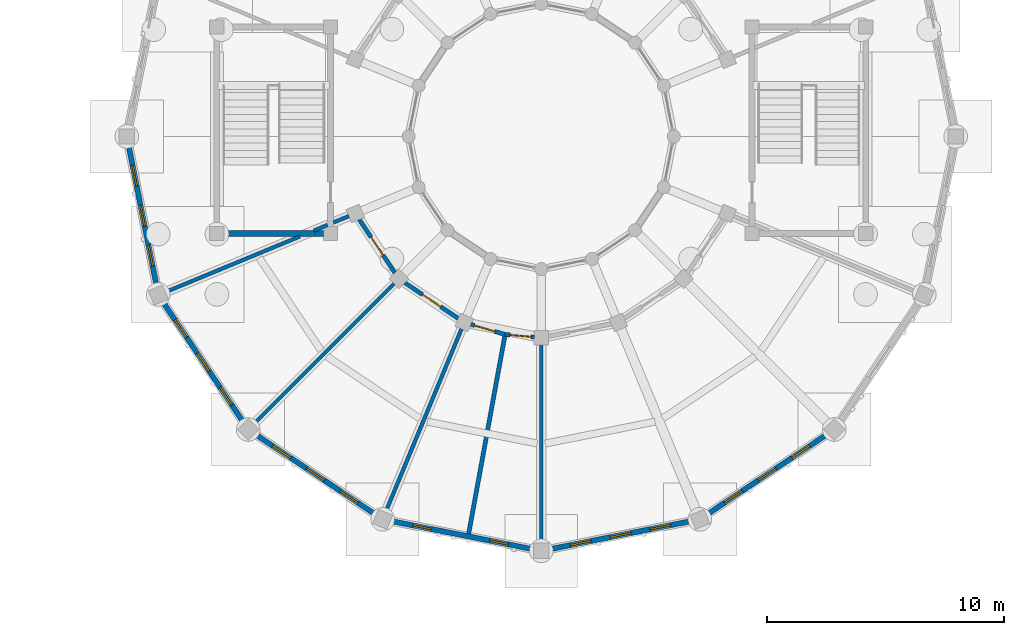
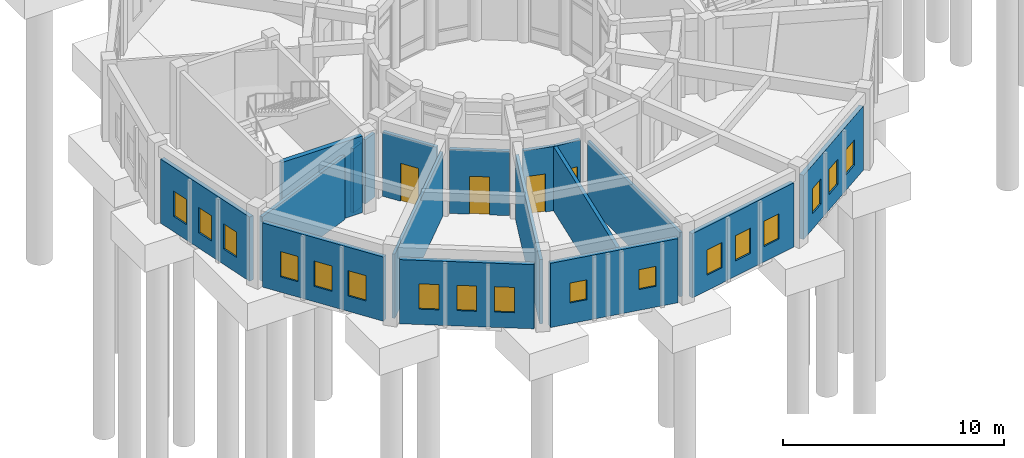
# One storey, part 115 of 153: 18 walls, 17 windows, 4 doors, 21 openings.
"""IFC4 building model written with IfcOpenShell, lengths in metres."""

from ifc_helpers import new_model, si_unit, direction, frame, frame_2d, origin, place, context, subcontext, project, spatial, rectangle, extrude, material, layer, layer_set, type_object, element, fill, save


model = new_model("IFC4")

# Units and contexts
model_context = context("Model", 3, precision=1e-05, world=origin(), true_north=direction((0.0, 1.0)))
body_context = subcontext(model_context, "Body", "Model", "MODEL_VIEW")
ifc_project = project(units=[si_unit("LENGTHUNIT", "METRE"), si_unit("AREAUNIT", "SQUARE_METRE"), si_unit("VOLUMEUNIT", "CUBIC_METRE"), si_unit("PLANEANGLEUNIT", "RADIAN"), si_unit("MASSUNIT", "GRAM", prefix="KILO")], contexts=[model_context])

# Site, building, storey
site_placement = place(None, origin())
site = spatial("IfcSite", under=ifc_project, at=site_placement, CompositionType="ELEMENT")
building_placement = place(site_placement, origin())
building = spatial("IfcBuilding", under=site, at=building_placement, Name="Celadon Cloister-Ring School", CompositionType="ELEMENT")
storey_placement = place(building_placement, origin())
storey = spatial("IfcBuildingStorey", under=building, at=storey_placement, Name="L00", CompositionType="ELEMENT", Elevation=0.0)

# Wall, openings, windows
ifc_material_1 = material(Name="Perforated terracotta clay brick masonry", Category="masonry")
ifc_layer_1 = layer(ifc_material_1, 0.219970703125)
ifc_layer_set_1 = layer_set([ifc_layer_1], Name="Perforated terracotta clay brick masonry")
wall_type_1 = type_object("IfcWallType", Name="WT-EX4", PredefinedType="SOLIDWALL", material=ifc_layer_set_1)
wall_1_placement = place(storey_placement, frame((3.962890625, 13.65087890625, 0.0), z_axis=(0.0, 0.0, 1.0), x_axis=(-0.195110859746, 0.980781194971, 0.0)))
wall_1 = element("IfcWall", 1, at=wall_1_placement, inside=storey, type_object=wall_type_1, Name="Exterior Wall 0301", PredefinedType="SOLIDWALL", context=body_context, shape_type="SweptSolid", body=[
    extrude(rectangle(XDim=6.118896484375, YDim=0.219970703125, at=frame_2d((3.0595703125, 0.0))), origin(), (0.0, 0.0, 1.0), 3.550048828125),
])
opening_1_placement = place(wall_1_placement, frame((0.89599609375, 0.0, 0.85009765625)))
opening_1 = element("IfcOpeningElement", 2, at=opening_1_placement, cuts=wall_1, Name="Opening WN-21", PredefinedType="OPENING", context=body_context, shape_type="SweptSolid", body=[
    extrude(rectangle(XDim=0.89990234375, YDim=1.39990234375, at=frame_2d((0.449951171875, 0.699951171875))), frame((0.0, 0.1201171875, 0.0), z_axis=(0.0, -1.0, 0.0), x_axis=(1.0, 0.0, 0.0)), (0.0, 0.0, 1.0), 0.239990234375),
])
opening_2_placement = place(wall_1_placement, frame((2.60888671875, 0.0, 0.85009765625)))
opening_2 = element("IfcOpeningElement", 3, at=opening_2_placement, cuts=wall_1, Name="Opening WN-21", PredefinedType="OPENING", context=body_context, shape_type="SweptSolid", body=[
    extrude(rectangle(XDim=0.89990234375, YDim=1.39990234375, at=frame_2d((0.449951171875, 0.699951171875))), frame((0.0, 0.1201171875, 0.0), z_axis=(0.0, -1.0, 0.0), x_axis=(1.0, 0.0, 0.0)), (0.0, 0.0, 1.0), 0.239990234375),
])
opening_3_placement = place(wall_1_placement, frame((4.322998046875, 0.0, 0.85009765625)))
opening_3 = element("IfcOpeningElement", 4, at=opening_3_placement, cuts=wall_1, Name="Opening WN-21", PredefinedType="OPENING", context=body_context, shape_type="SweptSolid", body=[
    extrude(rectangle(XDim=0.89990234375, YDim=1.39990234375, at=frame_2d((0.449951171875, 0.699951171875))), frame((0.0, 0.1201171875, 0.0), z_axis=(0.0, -1.0, 0.0), x_axis=(1.0, 0.0, 0.0)), (0.0, 0.0, 1.0), 0.239990234375),
])
ifc_material_2 = material(Name="Tempered laminated insulating glass", Category="glass")
window_type_1 = type_object("IfcWindowType", Name="WN-21", PartitioningType="SINGLE_PANEL", PredefinedType="WINDOW", material=ifc_material_2)
window_1_placement = place(opening_1_placement, origin())
window_1 = element("IfcWindow", 5, at=window_1_placement, inside=storey, type_object=window_type_1, Name="Window 0783", OverallHeight=1.39990234375, OverallWidth=0.89990234375, PartitioningType="SINGLE_PANEL", PredefinedType="WINDOW", context=body_context, shape_type="SweptSolid", body=[
    extrude(rectangle(XDim=0.89990234375, YDim=1.39990234375, at=frame_2d((0.449951171875, 0.699951171875))), frame((0.0, 0.030029296875, 0.0), z_axis=(0.0, -1.0, 0.0), x_axis=(1.0, 0.0, 0.0)), (0.0, 0.0, 1.0), 0.06005859375),
])
fill(opening_1, window_1)
window_2_placement = place(opening_2_placement, origin())
window_2 = element("IfcWindow", 6, at=window_2_placement, inside=storey, type_object=window_type_1, Name="Window 0784", OverallHeight=1.39990234375, OverallWidth=0.89990234375, PartitioningType="SINGLE_PANEL", PredefinedType="WINDOW", context=body_context, shape_type="SweptSolid", body=[
    extrude(rectangle(XDim=0.89990234375, YDim=1.39990234375, at=frame_2d((0.449951171875, 0.699951171875))), frame((0.0, 0.030029296875, 0.0), z_axis=(0.0, -1.0, 0.0), x_axis=(1.0, 0.0, 0.0)), (0.0, 0.0, 1.0), 0.06005859375),
])
fill(opening_2, window_2)
window_3_placement = place(opening_3_placement, origin())
window_3 = element("IfcWindow", 7, at=window_3_placement, inside=storey, type_object=window_type_1, Name="Window 0785", OverallHeight=1.39990234375, OverallWidth=0.89990234375, PartitioningType="SINGLE_PANEL", PredefinedType="WINDOW", context=body_context, shape_type="SweptSolid", body=[
    extrude(rectangle(XDim=0.89990234375, YDim=1.39990234375, at=frame_2d((0.449951171875, 0.699951171875))), frame((0.0, 0.030029296875, 0.0), z_axis=(0.0, -1.0, 0.0), x_axis=(1.0, 0.0, 0.0)), (0.0, 0.0, 1.0), 0.06005859375),
])
fill(opening_3, window_3)

wall_2_placement = place(storey_placement, frame((7.62890625, 7.9208984375, 0.0), z_axis=(0.0, 0.0, 1.0), x_axis=(-0.555657446161, 0.831411331728, 0.0)))
wall_2 = element("IfcWall", 8, at=wall_2_placement, inside=storey, type_object=wall_type_1, Name="Exterior Wall 0302", PredefinedType="SOLIDWALL", context=body_context, shape_type="SweptSolid", body=[
    extrude(rectangle(XDim=6.11865234375, YDim=0.219970703125, at=frame_2d((3.059326171875, 0.0))), origin(), (0.0, 0.0, 1.0), 3.550048828125),
])
opening_4_placement = place(wall_2_placement, frame((0.89599609375, 0.0, 0.85009765625)))
opening_4 = element("IfcOpeningElement", 9, at=opening_4_placement, cuts=wall_2, Name="Opening WN-21", PredefinedType="OPENING", context=body_context, shape_type="SweptSolid", body=[
    extrude(rectangle(XDim=0.89990234375, YDim=1.39990234375, at=frame_2d((0.449951171875, 0.699951171875))), frame((0.0, 0.1201171875, 0.0), z_axis=(0.0, -1.0, 0.0), x_axis=(1.0, 0.0, 0.0)), (0.0, 0.0, 1.0), 0.239990234375),
])
opening_5_placement = place(wall_2_placement, frame((2.60888671875, 0.0, 0.85009765625)))
opening_5 = element("IfcOpeningElement", 10, at=opening_5_placement, cuts=wall_2, Name="Opening WN-21", PredefinedType="OPENING", context=body_context, shape_type="SweptSolid", body=[
    extrude(rectangle(XDim=0.89990234375, YDim=1.39990234375, at=frame_2d((0.449951171875, 0.699951171875))), frame((0.0, 0.1201171875, 0.0), z_axis=(0.0, -1.0, 0.0), x_axis=(1.0, 0.0, 0.0)), (0.0, 0.0, 1.0), 0.239990234375),
])
opening_6_placement = place(wall_2_placement, frame((4.322998046875, 0.0, 0.85009765625)))
opening_6 = element("IfcOpeningElement", 11, at=opening_6_placement, cuts=wall_2, Name="Opening WN-21", PredefinedType="OPENING", context=body_context, shape_type="SweptSolid", body=[
    extrude(rectangle(XDim=0.89990234375, YDim=1.39990234375, at=frame_2d((0.449951171875, 0.699951171875))), frame((0.0, 0.1201171875, 0.0), z_axis=(0.0, -1.0, 0.0), x_axis=(1.0, 0.0, 0.0)), (0.0, 0.0, 1.0), 0.239990234375),
])
window_4_placement = place(opening_4_placement, origin())
window_4 = element("IfcWindow", 12, at=window_4_placement, inside=storey, type_object=window_type_1, Name="Window 0786", OverallHeight=1.39990234375, OverallWidth=0.89990234375, PartitioningType="SINGLE_PANEL", PredefinedType="WINDOW", context=body_context, shape_type="SweptSolid", body=[
    extrude(rectangle(XDim=0.89990234375, YDim=1.39990234375, at=frame_2d((0.449951171875, 0.699951171875))), frame((0.0, 0.030029296875, 0.0), z_axis=(0.0, -1.0, 0.0), x_axis=(1.0, 0.0, 0.0)), (0.0, 0.0, 1.0), 0.06005859375),
])
fill(opening_4, window_4)
window_5_placement = place(opening_5_placement, origin())
window_5 = element("IfcWindow", 13, at=window_5_placement, inside=storey, type_object=window_type_1, Name="Window 0787", OverallHeight=1.39990234375, OverallWidth=0.89990234375, PartitioningType="SINGLE_PANEL", PredefinedType="WINDOW", context=body_context, shape_type="SweptSolid", body=[
    extrude(rectangle(XDim=0.89990234375, YDim=1.39990234375, at=frame_2d((0.449951171875, 0.699951171875))), frame((0.0, 0.030029296875, 0.0), z_axis=(0.0, -1.0, 0.0), x_axis=(1.0, 0.0, 0.0)), (0.0, 0.0, 1.0), 0.06005859375),
])
fill(opening_5, window_5)
window_6_placement = place(opening_6_placement, origin())
window_6 = element("IfcWindow", 14, at=window_6_placement, inside=storey, type_object=window_type_1, Name="Window 0788", OverallHeight=1.39990234375, OverallWidth=0.89990234375, PartitioningType="SINGLE_PANEL", PredefinedType="WINDOW", context=body_context, shape_type="SweptSolid", body=[
    extrude(rectangle(XDim=0.89990234375, YDim=1.39990234375, at=frame_2d((0.449951171875, 0.699951171875))), frame((0.0, 0.030029296875, 0.0), z_axis=(0.0, -1.0, 0.0), x_axis=(1.0, 0.0, 0.0)), (0.0, 0.0, 1.0), 0.06005859375),
])
fill(opening_6, window_6)

wall_3_placement = place(storey_placement, frame((13.2080078125, 4.029052734375, 0.0), z_axis=(0.0, 0.0, 1.0), x_axis=(-0.83139901156, 0.555675879967, 0.0)))
wall_3 = element("IfcWall", 15, at=wall_3_placement, inside=storey, type_object=wall_type_1, Name="Exterior Wall 0303", PredefinedType="SOLIDWALL", context=body_context, shape_type="SweptSolid", body=[
    extrude(rectangle(XDim=6.118408203125, YDim=0.219970703125, at=frame_2d((3.05908203125, 0.0))), origin(), (0.0, 0.0, 1.0), 3.550048828125),
])
opening_7_placement = place(wall_3_placement, frame((0.89599609375, 0.0, 0.85009765625)))
opening_7 = element("IfcOpeningElement", 16, at=opening_7_placement, cuts=wall_3, Name="Opening WN-21", PredefinedType="OPENING", context=body_context, shape_type="SweptSolid", body=[
    extrude(rectangle(XDim=0.89990234375, YDim=1.39990234375, at=frame_2d((0.449951171875, 0.699951171875))), frame((0.0, 0.1201171875, 0.0), z_axis=(0.0, -1.0, 0.0), x_axis=(1.0, 0.0, 0.0)), (0.0, 0.0, 1.0), 0.239990234375),
])
opening_8_placement = place(wall_3_placement, frame((2.60888671875, 0.0, 0.85009765625)))
opening_8 = element("IfcOpeningElement", 17, at=opening_8_placement, cuts=wall_3, Name="Opening WN-21", PredefinedType="OPENING", context=body_context, shape_type="SweptSolid", body=[
    extrude(rectangle(XDim=0.89990234375, YDim=1.39990234375, at=frame_2d((0.449951171875, 0.699951171875))), frame((0.0, 0.1201171875, 0.0), z_axis=(0.0, -1.0, 0.0), x_axis=(1.0, 0.0, 0.0)), (0.0, 0.0, 1.0), 0.239990234375),
])
opening_9_placement = place(wall_3_placement, frame((4.322998046875, 0.0, 0.85009765625)))
opening_9 = element("IfcOpeningElement", 18, at=opening_9_placement, cuts=wall_3, Name="Opening WN-21", PredefinedType="OPENING", context=body_context, shape_type="SweptSolid", body=[
    extrude(rectangle(XDim=0.89990234375, YDim=1.39990234375, at=frame_2d((0.449951171875, 0.699951171875))), frame((0.0, 0.1201171875, 0.0), z_axis=(0.0, -1.0, 0.0), x_axis=(1.0, 0.0, 0.0)), (0.0, 0.0, 1.0), 0.239990234375),
])
window_7_placement = place(opening_7_placement, origin())
window_7 = element("IfcWindow", 19, at=window_7_placement, inside=storey, type_object=window_type_1, Name="Window 0789", OverallHeight=1.39990234375, OverallWidth=0.89990234375, PartitioningType="SINGLE_PANEL", PredefinedType="WINDOW", context=body_context, shape_type="SweptSolid", body=[
    extrude(rectangle(XDim=0.89990234375, YDim=1.39990234375, at=frame_2d((0.449951171875, 0.699951171875))), frame((0.0, 0.030029296875, 0.0), z_axis=(0.0, -1.0, 0.0), x_axis=(1.0, 0.0, 0.0)), (0.0, 0.0, 1.0), 0.06005859375),
])
fill(opening_7, window_7)
window_8_placement = place(opening_8_placement, origin())
window_8 = element("IfcWindow", 20, at=window_8_placement, inside=storey, type_object=window_type_1, Name="Window 0790", OverallHeight=1.39990234375, OverallWidth=0.89990234375, PartitioningType="SINGLE_PANEL", PredefinedType="WINDOW", context=body_context, shape_type="SweptSolid", body=[
    extrude(rectangle(XDim=0.89990234375, YDim=1.39990234375, at=frame_2d((0.449951171875, 0.699951171875))), frame((0.0, 0.030029296875, 0.0), z_axis=(0.0, -1.0, 0.0), x_axis=(1.0, 0.0, 0.0)), (0.0, 0.0, 1.0), 0.06005859375),
])
fill(opening_8, window_8)
window_9_placement = place(opening_9_placement, origin())
window_9 = element("IfcWindow", 21, at=window_9_placement, inside=storey, type_object=window_type_1, Name="Window 0791", OverallHeight=1.39990234375, OverallWidth=0.89990234375, PartitioningType="SINGLE_PANEL", PredefinedType="WINDOW", context=body_context, shape_type="SweptSolid", body=[
    extrude(rectangle(XDim=0.89990234375, YDim=1.39990234375, at=frame_2d((0.449951171875, 0.699951171875))), frame((0.0, 0.030029296875, 0.0), z_axis=(0.0, -1.0, 0.0), x_axis=(1.0, 0.0, 0.0)), (0.0, 0.0, 1.0), 0.06005859375),
])
fill(opening_9, window_9)

wall_4_placement = place(storey_placement, frame((19.85205078125, 2.569091796875, 0.0), z_axis=(0.0, 0.0, 1.0), x_axis=(-0.98077967596, 0.19511849534, 0.0)))
wall_4 = element("IfcWall", 22, at=wall_4_placement, inside=storey, type_object=wall_type_1, Name="Exterior Wall 0305", PredefinedType="SOLIDWALL", context=body_context, shape_type="SweptSolid", body=[
    extrude(rectangle(XDim=6.11865234375, YDim=0.219970703125, at=frame_2d((3.059326171875, 0.0))), origin(), (0.0, 0.0, 1.0), 3.550048828125),
])
opening_10_placement = place(wall_4_placement, frame((1.068115234375, 0.0, 1.14990234375)))
opening_10 = element("IfcOpeningElement", 23, at=opening_10_placement, cuts=wall_4, Name="Opening WN-01", PredefinedType="OPENING", context=body_context, shape_type="SweptSolid", body=[
    extrude(rectangle(XDim=0.800048828125, YDim=1.10009765625, at=frame_2d((0.39990234375, 0.550048828125))), frame((0.0, 0.1201171875, 0.0), z_axis=(0.0, -1.0, 0.0), x_axis=(1.0, 0.0, 0.0)), (0.0, 0.0, 1.0), 0.239990234375),
])
opening_11_placement = place(wall_4_placement, frame((4.373046875, 0.0, 1.14990234375)))
opening_11 = element("IfcOpeningElement", 24, at=opening_11_placement, cuts=wall_4, Name="Opening WN-01", PredefinedType="OPENING", context=body_context, shape_type="SweptSolid", body=[
    extrude(rectangle(XDim=0.800048828125, YDim=1.10009765625, at=frame_2d((0.39990234375, 0.550048828125))), frame((0.0, 0.1201171875, 0.0), z_axis=(0.0, -1.0, 0.0), x_axis=(1.0, 0.0, 0.0)), (0.0, 0.0, 1.0), 0.239990234375),
])
ifc_material_3 = material(Name="Tempered laminated insulating glass", Category="glass")
window_type_2 = type_object("IfcWindowType", Name="WN-01", PartitioningType="SINGLE_PANEL", PredefinedType="WINDOW", material=ifc_material_3)
window_10_placement = place(opening_10_placement, origin())
window_10 = element("IfcWindow", 25, at=window_10_placement, inside=storey, type_object=window_type_2, Name="Window 0792", OverallHeight=1.10009765625, OverallWidth=0.800048828125, PartitioningType="SINGLE_PANEL", PredefinedType="WINDOW", context=body_context, shape_type="SweptSolid", body=[
    extrude(rectangle(XDim=0.800048828125, YDim=1.10009765625, at=frame_2d((0.39990234375, 0.550048828125))), frame((0.0, 0.030029296875, 0.0), z_axis=(0.0, -1.0, 0.0), x_axis=(1.0, 0.0, 0.0)), (0.0, 0.0, 1.0), 0.06005859375),
])
fill(opening_10, window_10)
window_11_placement = place(opening_11_placement, origin())
window_11 = element("IfcWindow", 26, at=window_11_placement, inside=storey, type_object=window_type_2, Name="Window 0793", OverallHeight=1.10009765625, OverallWidth=0.800048828125, PartitioningType="SINGLE_PANEL", PredefinedType="WINDOW", context=body_context, shape_type="SweptSolid", body=[
    extrude(rectangle(XDim=0.800048828125, YDim=1.10009765625, at=frame_2d((0.39990234375, 0.550048828125))), frame((0.0, 0.030029296875, 0.0), z_axis=(0.0, -1.0, 0.0), x_axis=(1.0, 0.0, 0.0)), (0.0, 0.0, 1.0), 0.06005859375),
])
fill(opening_11, window_11)

wall_5_placement = place(storey_placement, frame((26.549072265625, 3.762939453125, 0.0), z_axis=(0.0, 0.0, 1.0), x_axis=(-0.98077967596, -0.19511849534, 0.0)))
wall_5 = element("IfcWall", 27, at=wall_5_placement, inside=storey, type_object=wall_type_1, Name="Exterior Wall 0306", PredefinedType="SOLIDWALL", context=body_context, shape_type="SweptSolid", body=[
    extrude(rectangle(XDim=6.11865234375, YDim=0.219970703125, at=frame_2d((3.059326171875, 0.0))), origin(), (0.0, 0.0, 1.0), 3.550048828125),
])
opening_12_placement = place(wall_5_placement, frame((0.89599609375, 0.0, 0.85009765625)))
opening_12 = element("IfcOpeningElement", 28, at=opening_12_placement, cuts=wall_5, Name="Opening WN-21", PredefinedType="OPENING", context=body_context, shape_type="SweptSolid", body=[
    extrude(rectangle(XDim=0.89990234375, YDim=1.39990234375, at=frame_2d((0.449951171875, 0.699951171875))), frame((0.0, 0.1201171875, 0.0), z_axis=(0.0, -1.0, 0.0), x_axis=(1.0, 0.0, 0.0)), (0.0, 0.0, 1.0), 0.239990234375),
])
opening_13_placement = place(wall_5_placement, frame((2.60888671875, 0.0, 0.85009765625)))
opening_13 = element("IfcOpeningElement", 29, at=opening_13_placement, cuts=wall_5, Name="Opening WN-21", PredefinedType="OPENING", context=body_context, shape_type="SweptSolid", body=[
    extrude(rectangle(XDim=0.89990234375, YDim=1.39990234375, at=frame_2d((0.449951171875, 0.699951171875))), frame((0.0, 0.1201171875, 0.0), z_axis=(0.0, -1.0, 0.0), x_axis=(1.0, 0.0, 0.0)), (0.0, 0.0, 1.0), 0.239990234375),
])
opening_14_placement = place(wall_5_placement, frame((4.322998046875, 0.0, 0.85009765625)))
opening_14 = element("IfcOpeningElement", 30, at=opening_14_placement, cuts=wall_5, Name="Opening WN-21", PredefinedType="OPENING", context=body_context, shape_type="SweptSolid", body=[
    extrude(rectangle(XDim=0.89990234375, YDim=1.39990234375, at=frame_2d((0.449951171875, 0.699951171875))), frame((0.0, 0.1201171875, 0.0), z_axis=(0.0, -1.0, 0.0), x_axis=(1.0, 0.0, 0.0)), (0.0, 0.0, 1.0), 0.239990234375),
])
window_12_placement = place(opening_12_placement, origin())
window_12 = element("IfcWindow", 31, at=window_12_placement, inside=storey, type_object=window_type_1, Name="Window 0794", OverallHeight=1.39990234375, OverallWidth=0.89990234375, PartitioningType="SINGLE_PANEL", PredefinedType="WINDOW", context=body_context, shape_type="SweptSolid", body=[
    extrude(rectangle(XDim=0.89990234375, YDim=1.39990234375, at=frame_2d((0.449951171875, 0.699951171875))), frame((0.0, 0.030029296875, 0.0), z_axis=(0.0, -1.0, 0.0), x_axis=(1.0, 0.0, 0.0)), (0.0, 0.0, 1.0), 0.06005859375),
])
fill(opening_12, window_12)
window_13_placement = place(opening_13_placement, origin())
window_13 = element("IfcWindow", 32, at=window_13_placement, inside=storey, type_object=window_type_1, Name="Window 0795", OverallHeight=1.39990234375, OverallWidth=0.89990234375, PartitioningType="SINGLE_PANEL", PredefinedType="WINDOW", context=body_context, shape_type="SweptSolid", body=[
    extrude(rectangle(XDim=0.89990234375, YDim=1.39990234375, at=frame_2d((0.449951171875, 0.699951171875))), frame((0.0, 0.030029296875, 0.0), z_axis=(0.0, -1.0, 0.0), x_axis=(1.0, 0.0, 0.0)), (0.0, 0.0, 1.0), 0.06005859375),
])
fill(opening_13, window_13)
window_14_placement = place(opening_14_placement, origin())
window_14 = element("IfcWindow", 33, at=window_14_placement, inside=storey, type_object=window_type_1, Name="Window 0796", OverallHeight=1.39990234375, OverallWidth=0.89990234375, PartitioningType="SINGLE_PANEL", PredefinedType="WINDOW", context=body_context, shape_type="SweptSolid", body=[
    extrude(rectangle(XDim=0.89990234375, YDim=1.39990234375, at=frame_2d((0.449951171875, 0.699951171875))), frame((0.0, 0.030029296875, 0.0), z_axis=(0.0, -1.0, 0.0), x_axis=(1.0, 0.0, 0.0)), (0.0, 0.0, 1.0), 0.06005859375),
])
fill(opening_14, window_14)

wall_6_placement = place(storey_placement, frame((32.279052734375, 7.428955078125, 0.0), z_axis=(0.0, 0.0, 1.0), x_axis=(-0.831411331728, -0.555657446161, 0.0)))
wall_6 = element("IfcWall", 34, at=wall_6_placement, inside=storey, type_object=wall_type_1, Name="Exterior Wall 0307", PredefinedType="SOLIDWALL", context=body_context, shape_type="SweptSolid", body=[
    extrude(rectangle(XDim=6.11865234375, YDim=0.219970703125, at=frame_2d((3.059326171875, 0.0))), origin(), (0.0, 0.0, 1.0), 3.550048828125),
])
opening_15_placement = place(wall_6_placement, frame((0.89599609375, 0.0, 0.85009765625)))
opening_15 = element("IfcOpeningElement", 35, at=opening_15_placement, cuts=wall_6, Name="Opening WN-21", PredefinedType="OPENING", context=body_context, shape_type="SweptSolid", body=[
    extrude(rectangle(XDim=0.89990234375, YDim=1.39990234375, at=frame_2d((0.449951171875, 0.699951171875))), frame((0.0, 0.1201171875, 0.0), z_axis=(0.0, -1.0, 0.0), x_axis=(1.0, 0.0, 0.0)), (0.0, 0.0, 1.0), 0.239990234375),
])
opening_16_placement = place(wall_6_placement, frame((2.60888671875, 0.0, 0.85009765625)))
opening_16 = element("IfcOpeningElement", 36, at=opening_16_placement, cuts=wall_6, Name="Opening WN-21", PredefinedType="OPENING", context=body_context, shape_type="SweptSolid", body=[
    extrude(rectangle(XDim=0.89990234375, YDim=1.39990234375, at=frame_2d((0.449951171875, 0.699951171875))), frame((0.0, 0.1201171875, 0.0), z_axis=(0.0, -1.0, 0.0), x_axis=(1.0, 0.0, 0.0)), (0.0, 0.0, 1.0), 0.239990234375),
])
opening_17_placement = place(wall_6_placement, frame((4.322998046875, 0.0, 0.85009765625)))
opening_17 = element("IfcOpeningElement", 37, at=opening_17_placement, cuts=wall_6, Name="Opening WN-21", PredefinedType="OPENING", context=body_context, shape_type="SweptSolid", body=[
    extrude(rectangle(XDim=0.89990234375, YDim=1.39990234375, at=frame_2d((0.449951171875, 0.699951171875))), frame((0.0, 0.1201171875, 0.0), z_axis=(0.0, -1.0, 0.0), x_axis=(1.0, 0.0, 0.0)), (0.0, 0.0, 1.0), 0.239990234375),
])
window_15_placement = place(opening_15_placement, origin())
window_15 = element("IfcWindow", 38, at=window_15_placement, inside=storey, type_object=window_type_1, Name="Window 0797", OverallHeight=1.39990234375, OverallWidth=0.89990234375, PartitioningType="SINGLE_PANEL", PredefinedType="WINDOW", context=body_context, shape_type="SweptSolid", body=[
    extrude(rectangle(XDim=0.89990234375, YDim=1.39990234375, at=frame_2d((0.449951171875, 0.699951171875))), frame((0.0, 0.030029296875, 0.0), z_axis=(0.0, -1.0, 0.0), x_axis=(1.0, 0.0, 0.0)), (0.0, 0.0, 1.0), 0.06005859375),
])
fill(opening_15, window_15)
window_16_placement = place(opening_16_placement, origin())
window_16 = element("IfcWindow", 39, at=window_16_placement, inside=storey, type_object=window_type_1, Name="Window 0798", OverallHeight=1.39990234375, OverallWidth=0.89990234375, PartitioningType="SINGLE_PANEL", PredefinedType="WINDOW", context=body_context, shape_type="SweptSolid", body=[
    extrude(rectangle(XDim=0.89990234375, YDim=1.39990234375, at=frame_2d((0.449951171875, 0.699951171875))), frame((0.0, 0.030029296875, 0.0), z_axis=(0.0, -1.0, 0.0), x_axis=(1.0, 0.0, 0.0)), (0.0, 0.0, 1.0), 0.06005859375),
])
fill(opening_16, window_16)
window_17_placement = place(opening_17_placement, origin())
window_17 = element("IfcWindow", 40, at=window_17_placement, inside=storey, type_object=window_type_1, Name="Window 0799", OverallHeight=1.39990234375, OverallWidth=0.89990234375, PartitioningType="SINGLE_PANEL", PredefinedType="WINDOW", context=body_context, shape_type="SweptSolid", body=[
    extrude(rectangle(XDim=0.89990234375, YDim=1.39990234375, at=frame_2d((0.449951171875, 0.699951171875))), frame((0.0, 0.030029296875, 0.0), z_axis=(0.0, -1.0, 0.0), x_axis=(1.0, 0.0, 0.0)), (0.0, 0.0, 1.0), 0.06005859375),
])
fill(opening_17, window_17)

# Wall
ifc_material_4 = material(Name="Plastered hollow concrete masonry", Category="masonry")
ifc_layer_2 = layer(ifc_material_4, 0.179931640625)
ifc_layer_set_2 = layer_set([ifc_layer_2], Name="Plastered hollow concrete masonry")
wall_type_2 = type_object("IfcWallType", Name="WT-PT2", PredefinedType="PARTITIONING", material=ifc_layer_set_2)
wall_7_placement = place(storey_placement, frame((18.673095703125, 11.637939453125, 0.0), z_axis=(0.0, 0.0, 1.0), x_axis=(-0.179734485707, -0.983715159306, 0.0)))
element("IfcWall", 41, at=wall_7_placement, inside=storey, type_object=wall_type_2, Name="Interior Wall 0777", PredefinedType="PARTITIONING", context=body_context, shape_type="SweptSolid", body=[
    extrude(rectangle(XDim=8.552001953125, YDim=0.179931640625, at=frame_2d((4.27587890625, 0.0))), origin(), (0.0, 0.0, 1.0), 3.552001953125),
])

# Wall, opening, door
wall_8_placement = place(storey_placement, frame((12.511962890625, 16.4990234375, 0.0), z_axis=(0.0, 0.0, 1.0), x_axis=(0.556128339679, -0.831096426298, 0.0)))
wall_8 = element("IfcWall", 42, at=wall_8_placement, inside=storey, type_object=wall_type_2, Name="Interior Wall 0782", PredefinedType="PARTITIONING", context=body_context, shape_type="SweptSolid", body=[
    extrude(rectangle(XDim=2.720458984375, YDim=0.179931640625, at=frame_2d((1.3603515625, 0.0))), origin(), (0.0, 0.0, 1.0), 3.552001953125),
])
opening_18_placement = place(wall_8_placement, frame((0.89990234375, 0.0, 0.0)))
opening_18 = element("IfcOpeningElement", 43, at=opening_18_placement, cuts=wall_8, Name="Opening D-0283", PredefinedType="OPENING", context=body_context, shape_type="SweptSolid", body=[
    extrude(rectangle(XDim=0.919921875, YDim=2.10009765625, at=frame_2d((0.4599609375, 1.050048828125))), frame((0.0, 0.10009765625, 0.0), z_axis=(0.0, -1.0, 0.0), x_axis=(1.0, 0.0, 0.0)), (0.0, 0.0, 1.0), 0.199951171875),
])
ifc_material_5 = material(Name="Solid-core fire-rated hardwood leaf", Category="wood")
door_type_1 = type_object("IfcDoorType", Name="DT-02", OperationType="NOTDEFINED", PredefinedType="DOOR", material=ifc_material_5)
door_1_placement = place(opening_18_placement, origin())
door_1 = element("IfcDoor", 44, at=door_1_placement, inside=storey, type_object=door_type_1, Name="Door D-0283", OperationType="SINGLE_SWING_LEFT", OverallHeight=2.10009765625, OverallWidth=0.919921875, PredefinedType="DOOR", context=body_context, shape_type="SweptSolid", body=[
    extrude(rectangle(XDim=0.919921875, YDim=2.10009765625, at=frame_2d((0.4599609375, 1.050048828125))), frame((0.0, 0.02490234375, 0.0), z_axis=(0.0, -1.0, 0.0), x_axis=(1.0, 0.0, 0.0)), (0.0, 0.0, 1.0), 0.050048828125),
])
fill(opening_18, door_1)

wall_9_placement = place(storey_placement, frame((14.43798828125, 13.824951171875, 0.0), z_axis=(0.0, 0.0, 1.0), x_axis=(0.831096426298, -0.556128339679, 0.0)))
wall_9 = element("IfcWall", 45, at=wall_9_placement, inside=storey, type_object=wall_type_2, Name="Interior Wall 0783", PredefinedType="PARTITIONING", context=body_context, shape_type="SweptSolid", body=[
    extrude(rectangle(XDim=2.720458984375, YDim=0.179931640625, at=frame_2d((1.3603515625, 0.0))), origin(), (0.0, 0.0, 1.0), 3.552001953125),
])
opening_19_placement = place(wall_9_placement, frame((0.89990234375, 0.0, 0.0)))
opening_19 = element("IfcOpeningElement", 46, at=opening_19_placement, cuts=wall_9, Name="Opening D-0284", PredefinedType="OPENING", context=body_context, shape_type="SweptSolid", body=[
    extrude(rectangle(XDim=0.919921875, YDim=2.10009765625, at=frame_2d((0.4599609375, 1.050048828125))), frame((0.0, 0.10009765625, 0.0), z_axis=(0.0, -1.0, 0.0), x_axis=(1.0, 0.0, 0.0)), (0.0, 0.0, 1.0), 0.199951171875),
])
door_2_placement = place(opening_19_placement, origin())
door_2 = element("IfcDoor", 47, at=door_2_placement, inside=storey, type_object=door_type_1, Name="Door D-0284", OperationType="SINGLE_SWING_RIGHT", OverallHeight=2.10009765625, OverallWidth=0.919921875, PredefinedType="DOOR", context=body_context, shape_type="SweptSolid", body=[
    extrude(rectangle(XDim=0.919921875, YDim=2.10009765625, at=frame_2d((0.4599609375, 1.050048828125))), frame((0.0, 0.02490234375, 0.0), z_axis=(0.0, -1.0, 0.0), x_axis=(1.0, 0.0, 0.0)), (0.0, 0.0, 1.0), 0.050048828125),
])
fill(opening_19, door_2)

wall_10_placement = place(storey_placement, frame((17.22900390625, 12.06396484375, 0.0), z_axis=(0.0, 0.0, 1.0), x_axis=(0.959132791877, -0.282956335051, 0.0)))
wall_10 = element("IfcWall", 48, at=wall_10_placement, inside=storey, type_object=wall_type_2, Name="Interior Wall 0784", PredefinedType="PARTITIONING", context=body_context, shape_type="SweptSolid", body=[
    extrude(rectangle(XDim=1.505615234375, YDim=0.179931640625, at=frame_2d((0.7529296875, 0.0))), origin(), (0.0, 0.0, 1.0), 3.552001953125),
])
opening_20_placement = place(wall_10_placement, frame((0.166015625, 0.0, 0.0)))
opening_20 = element("IfcOpeningElement", 49, at=opening_20_placement, cuts=wall_10, Name="Opening D-0285", PredefinedType="OPENING", context=body_context, shape_type="SweptSolid", body=[
    extrude(rectangle(XDim=0.8798828125, YDim=2.10009765625, at=frame_2d((0.43994140625, 1.050048828125))), frame((0.0, 0.10009765625, 0.0), z_axis=(0.0, -1.0, 0.0), x_axis=(1.0, 0.0, 0.0)), (0.0, 0.0, 1.0), 0.199951171875),
])
ifc_material_6 = material(Name="Solid-core fire-rated hardwood leaf", Category="wood")
door_type_2 = type_object("IfcDoorType", Name="DT-01", OperationType="NOTDEFINED", PredefinedType="DOOR", material=ifc_material_6)
door_3_placement = place(opening_20_placement, origin())
door_3 = element("IfcDoor", 50, at=door_3_placement, inside=storey, type_object=door_type_2, Name="Door D-0285", OperationType="SINGLE_SWING_LEFT", OverallHeight=2.10009765625, OverallWidth=0.8798828125, PredefinedType="DOOR", context=body_context, shape_type="SweptSolid", body=[
    extrude(rectangle(XDim=0.8798828125, YDim=2.10009765625, at=frame_2d((0.43994140625, 1.050048828125))), frame((0.0, 0.02490234375, 0.0), z_axis=(0.0, -1.0, 0.0), x_axis=(1.0, 0.0, 0.0)), (0.0, 0.0, 1.0), 0.050048828125),
])
fill(opening_20, door_3)

wall_11_placement = place(storey_placement, frame((18.673095703125, 11.637939453125, 0.0), z_axis=(0.0, 0.0, 1.0), x_axis=(0.995907718878, -0.090375967372, 0.0)))
wall_11 = element("IfcWall", 51, at=wall_11_placement, inside=storey, type_object=wall_type_2, Name="Interior Wall 0785", PredefinedType="PARTITIONING", context=body_context, shape_type="SweptSolid", body=[
    extrude(rectangle(XDim=1.239990234375, YDim=0.179931640625, at=frame_2d((0.6201171875, 0.0))), origin(), (0.0, 0.0, 1.0), 3.552001953125),
])
opening_21_placement = place(wall_11_placement, frame((0.219970703125, 0.0, 0.0)))
opening_21 = element("IfcOpeningElement", 52, at=opening_21_placement, cuts=wall_11, Name="Opening D-0286", PredefinedType="OPENING", context=body_context, shape_type="SweptSolid", body=[
    extrude(rectangle(XDim=0.8798828125, YDim=2.10009765625, at=frame_2d((0.43994140625, 1.050048828125))), frame((0.0, 0.10009765625, 0.0), z_axis=(0.0, -1.0, 0.0), x_axis=(1.0, 0.0, 0.0)), (0.0, 0.0, 1.0), 0.199951171875),
])
door_4_placement = place(opening_21_placement, origin())
door_4 = element("IfcDoor", 53, at=door_4_placement, inside=storey, type_object=door_type_2, Name="Door D-0286", OperationType="SINGLE_SWING_RIGHT", OverallHeight=2.10009765625, OverallWidth=0.8798828125, PredefinedType="DOOR", context=body_context, shape_type="SweptSolid", body=[
    extrude(rectangle(XDim=0.8798828125, YDim=2.10009765625, at=frame_2d((0.43994140625, 1.050048828125))), frame((0.0, 0.02490234375, 0.0), z_axis=(0.0, -1.0, 0.0), x_axis=(1.0, 0.0, 0.0)), (0.0, 0.0, 1.0), 0.050048828125),
])
fill(opening_21, door_4)

# Walls
ifc_material_7 = material(Name="Plastered hollow concrete masonry", Category="masonry")
ifc_layer_3 = layer(ifc_material_7, 0.159912109375)
ifc_layer_set_3 = layer_set([ifc_layer_3], Name="Plastered hollow concrete masonry")
wall_type_3 = type_object("IfcWallType", Name="WT-PT3", PredefinedType="PARTITIONING", material=ifc_layer_set_3)
wall_12_placement = place(storey_placement, frame((12.076904296875, 16.635986328125, 0.0), z_axis=(0.0, 0.0, 1.0), x_axis=(-0.923789734747, -0.382900151445, 0.0)))
element("IfcWall", 54, at=wall_12_placement, inside=storey, type_object=wall_type_3, Name="Interior Wall 0768", PredefinedType="PARTITIONING", context=body_context, shape_type="SweptSolid", body=[
    extrude(rectangle(XDim=0.707763671875, YDim=0.159912109375, at=frame_2d((0.35400390625, 0.0))), origin(), (0.0, 0.0, 1.0), 3.552001953125),
])
wall_13_placement = place(storey_placement, frame((11.177001953125, 16.262939453125, 0.0), z_axis=(0.0, 0.0, 1.0), x_axis=(-0.923812676193, -0.382844797933, 0.0)))
element("IfcWall", 55, at=wall_13_placement, inside=storey, type_object=wall_type_3, Name="Interior Wall 0769", PredefinedType="PARTITIONING", context=body_context, shape_type="SweptSolid", body=[
    extrude(rectangle(XDim=0.626953125, YDim=0.159912109375, at=frame_2d((0.3134765625, 0.0))), origin(), (0.0, 0.0, 1.0), 3.552001953125),
])
wall_14_placement = place(storey_placement, frame((10.00390625, 15.777099609375, 0.0), z_axis=(0.0, 0.0, 1.0), x_axis=(-0.923837705987, -0.382784394923, 0.0)))
element("IfcWall", 56, at=wall_14_placement, inside=storey, type_object=wall_type_3, Name="Interior Wall 0770", PredefinedType="PARTITIONING", context=body_context, shape_type="SweptSolid", body=[
    extrude(rectangle(XDim=6.147216796875, YDim=0.159912109375, at=frame_2d((3.07373046875, 0.0))), origin(), (0.0, 0.0, 1.0), 3.552001953125),
])
wall_15_placement = place(storey_placement, frame((16.8359375, 11.876953125, 0.0), z_axis=(0.0, 0.0, 1.0), x_axis=(-0.382780060664, -0.923839501839, 0.0)))
element("IfcWall", 57, at=wall_15_placement, inside=storey, type_object=wall_type_3, Name="Interior Wall 0772", PredefinedType="PARTITIONING", context=body_context, shape_type="SweptSolid", body=[
    extrude(rectangle(XDim=8.39111328125, YDim=0.159912109375, at=frame_2d((4.195556640625, 0.0))), origin(), (0.0, 0.0, 1.0), 3.552001953125),
])
ifc_material_8 = material(Name="Acoustic mineral-wool drywall partition")
ifc_layer_4 = layer(ifc_material_8, 0.139892578125)
ifc_layer_set_4 = layer_set([ifc_layer_4], Name="Acoustic mineral-wool drywall partition")
wall_type_4 = type_object("IfcWallType", Name="WT-PT4", PredefinedType="PARTITIONING", material=ifc_layer_set_4)
wall_16_placement = place(storey_placement, frame((13.98388671875, 13.783935546875, 0.0), z_axis=(0.0, 0.0, 1.0), x_axis=(-0.707106781187, -0.707106781187, 0.0)))
element("IfcWall", 58, at=wall_16_placement, inside=storey, type_object=wall_type_4, Name="Interior Wall 0771", PredefinedType="PARTITIONING", context=body_context, shape_type="SweptSolid", body=[
    extrude(rectangle(XDim=8.3916015625, YDim=0.139892578125, at=frame_2d((4.19580078125, 0.0))), origin(), (0.0, 0.0, 1.0), 3.552001953125),
])
wall_17_placement = place(storey_placement, frame((20.199951171875, 11.2080078125, 0.0), z_axis=(0.0, 0.0, 1.0), x_axis=(0.0, -1.0, 0.0)))
element("IfcWall", 59, at=wall_17_placement, inside=storey, type_object=wall_type_4, Name="Interior Wall 0773", PredefinedType="PARTITIONING", context=body_context, shape_type="SweptSolid", body=[
    extrude(rectangle(XDim=8.39111328125, YDim=0.139892578125, at=frame_2d((4.195556640625, 0.0))), origin(), (0.0, 0.0, 1.0), 3.552001953125),
])
ifc_material_9 = material(Name="Concrete C40/50", Category="concrete")
ifc_layer_5 = layer(ifc_material_9, 0.239990234375)
ifc_layer_set_5 = layer_set([ifc_layer_5], Name="Concrete C40/50")
wall_type_5 = type_object("IfcWallType", Name="WT-SH1", PredefinedType="SHEAR", material=ifc_layer_set_5)
wall_18_placement = place(storey_placement, frame((11.008056640625, 15.89990234375, 0.0), z_axis=(0.0, 0.0, 1.0), x_axis=(-1.0, 0.0, 0.0)))
element("IfcWall", 60, at=wall_18_placement, inside=storey, type_object=wall_type_5, Name="Interior Wall 0051", PredefinedType="SHEAR", context=body_context, shape_type="SweptSolid", body=[
    extrude(rectangle(XDim=4.216064453125, YDim=0.239990234375, at=frame_2d((2.10791015625, 0.0))), origin(), (0.0, 0.0, 1.0), 4.239990234375),
])

save(model, "model.ifc")
